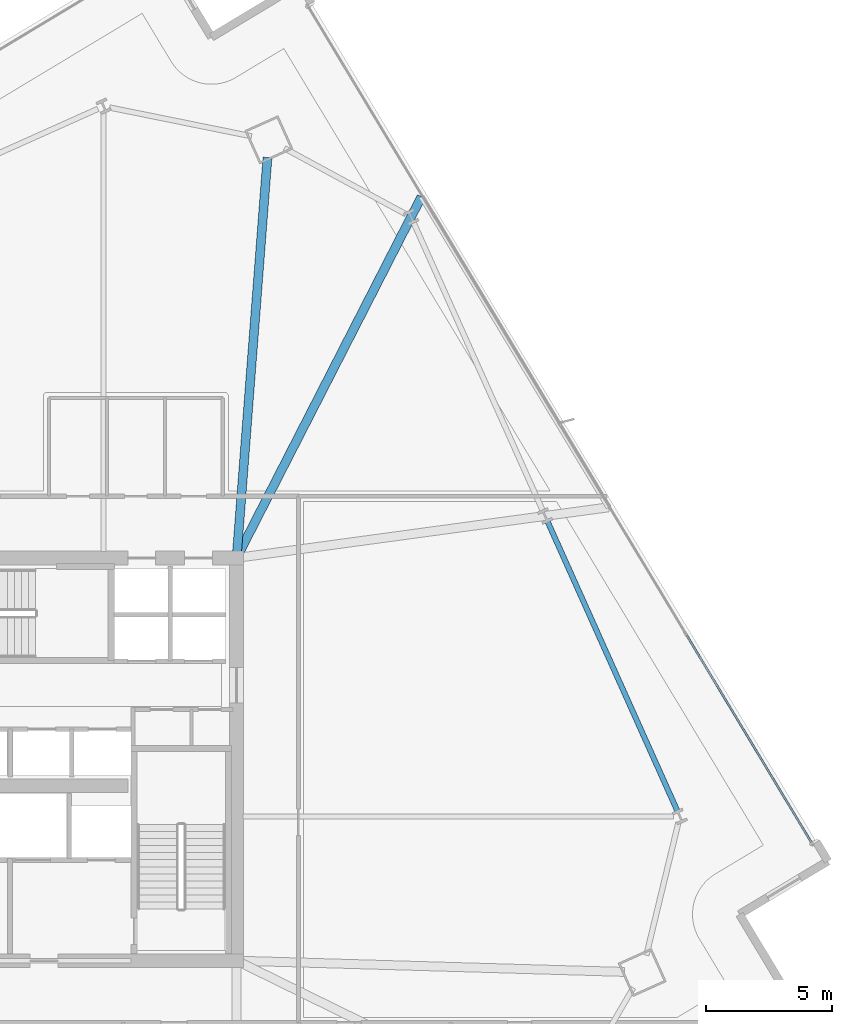
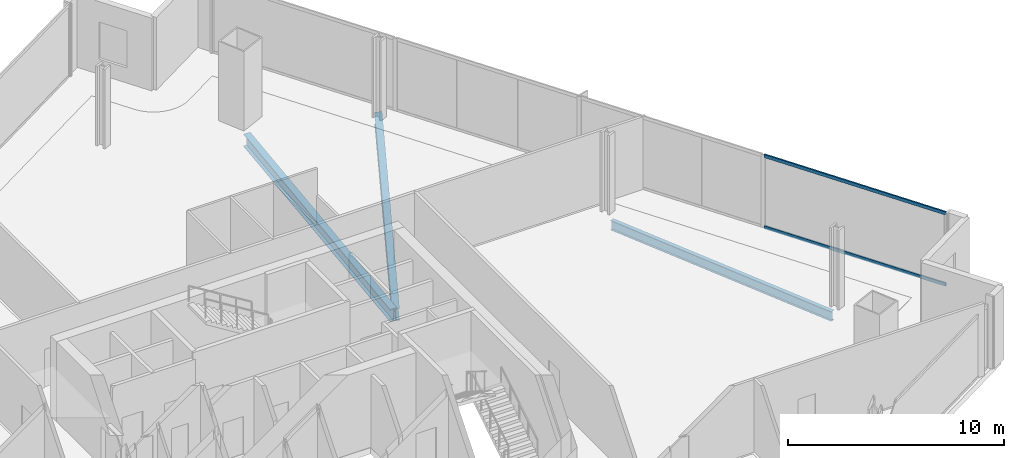
# One storey, part 16 of 30: 3 beams, 2 members, 1 element without a shape of its own.
"""IFC4 building model written with IfcOpenShell, lengths in metres."""

from ifc_helpers import new_model, si_unit, direction, frame, origin, origin_2d, place, context, subcontext, project, spatial, hollow_rectangle, i_section, extrude, material, material_profile, profile_set, type_object, element, aggregate, save


model = new_model("IFC4")

# Units and contexts
model_context = context("Model", 3, precision=1e-05, world=origin(), true_north=direction((0.0, 1.0)))
body_context = subcontext(model_context, "Body", "Model", "MODEL_VIEW")
ifc_project = project(units=[si_unit("LENGTHUNIT", "METRE"), si_unit("AREAUNIT", "SQUARE_METRE"), si_unit("VOLUMEUNIT", "CUBIC_METRE"), si_unit("PLANEANGLEUNIT", "RADIAN"), si_unit("MASSUNIT", "GRAM", prefix="KILO")], contexts=[model_context])

# Site, building, storey
site_placement = place(None, origin())
site = spatial("IfcSite", under=ifc_project, at=site_placement, CompositionType="ELEMENT")
building_placement = place(site_placement, origin())
building = spatial("IfcBuilding", under=site, at=building_placement, Name="Haldenkirk Collegiate Tower", CompositionType="ELEMENT")
storey_placement = place(building_placement, frame((0.0, 0.0, 131.699951171875)))
storey = spatial("IfcBuildingStorey", under=building, at=storey_placement, Name="L32", CompositionType="ELEMENT", Elevation=131.699951171875)

# Beams
ifc_material_1 = material(Name="Steel ASTM A992 Grade 50", Category="steel")
ifc_material_profile_1 = material_profile(ifc_material_1, i_section(OverallWidth=0.35498046875, OverallDepth=0.696044921875, WebThickness=0.015380859375, FlangeThickness=0.02490234375, at=origin_2d()), Name="W27X146")
ifc_profile_set_1 = profile_set([ifc_material_profile_1], Name="Steel ASTM A992 Grade 50")
beam_type_1 = type_object("IfcBeamType", Name="BM-GIRDER-W27X146", PredefinedType="BEAM", material=ifc_profile_set_1)
beam_1_placement = place(storey_placement, frame((46.226806640625, 49.9072265625, -0.697998046875), z_axis=(-0.076898657581, -0.997038914217, 0.0), x_axis=(0.997038914217, -0.076898657581, 0.0)))
element("IfcBeam", 1, at=beam_1_placement, inside=storey, type_object=beam_type_1, Name="L32 primary floor girder 03", PredefinedType="BEAM", context=body_context, shape_type="SweptSolid", body=[
    extrude(i_section(OverallWidth=0.35498046875, OverallDepth=0.696044921875, WebThickness=0.015380859375, FlangeThickness=0.02490234375, at=origin_2d()), origin(), (0.0, 0.0, 1.0), 15.699462890625),
])
beam_2_placement = place(storey_placement, frame((52.343505859375, 48.3505859375, -0.697998046875), z_axis=(-0.455540753334, -0.890214930257, 0.0), x_axis=(0.890214930257, -0.455540753334, 0.0)))
element("IfcBeam", 2, at=beam_2_placement, inside=storey, type_object=beam_type_1, Name="L32 primary floor girder 10", PredefinedType="BEAM", context=body_context, shape_type="SweptSolid", body=[
    extrude(i_section(OverallWidth=0.35498046875, OverallDepth=0.696044921875, WebThickness=0.015380859375, FlangeThickness=0.02490234375, at=origin_2d()), origin(), (0.0, 0.0, 1.0), 15.865234375),
])
ifc_material_profile_2 = material_profile(ifc_material_1, i_section(OverallWidth=0.2119140625, OverallDepth=0.5439453125, WebThickness=0.01318359375, FlangeThickness=0.021240234375, at=origin_2d()), Name="W21X83")
ifc_profile_set_2 = profile_set([ifc_material_profile_2], Name="Steel ASTM A992 Grade 50")
beam_type_2 = type_object("IfcBeamType", Name="BM-SPANDREL-W21X83", PredefinedType="SPANDREL", material=ifc_profile_set_2)
beam_3_placement = place(storey_placement, frame((62.50830078125, 23.951416015625, -0.6220703125), z_axis=(-0.409131045523, 0.91247563671, 0.0), x_axis=(-0.91247563671, -0.409131045523, 0.0)))
element("IfcBeam", 3, at=beam_3_placement, inside=storey, type_object=beam_type_2, Name="L32 perimeter spandrel beam 06", PredefinedType="SPANDREL", context=body_context, shape_type="SweptSolid", body=[
    extrude(i_section(OverallWidth=0.2119140625, OverallDepth=0.5439453125, WebThickness=0.01318359375, FlangeThickness=0.021240234375, at=origin_2d()), origin(), (0.0, 0.0, 1.0), 12.593994140625),
])

# Curtain wall, members
ifc_material_2 = material(Name="Anodised architectural bronze aluminium", Category="aluminium")
curtain_wall_type = type_object("IfcCurtainWallType", Name="CW-SYS1-CONVEX-LOW", PredefinedType="USERDEFINED", material=ifc_material_2)
curtain_wall_placement = place(storey_placement, origin())
curtain_wall = element("IfcCurtainWall", 4, at=curtain_wall_placement, inside=storey, type_object=curtain_wall_type, Name="L32 Lower tower convex bronze-framed unitised curtain wall", ObjectType="UNITISED CURTAIN WALL", PredefinedType="USERDEFINED")
ifc_material_profile_3 = material_profile(ifc_material_2, hollow_rectangle(XDim=0.080078125, YDim=0.179931640625, WallThickness=0.0048828125, at=origin_2d()), Name="CW-TRN-1A")
ifc_profile_set_3 = profile_set([ifc_material_profile_3], Name="Anodised architectural bronze aluminium")
member_type = type_object("IfcMemberType", Name="CW-TRN-1A", PredefinedType="USERDEFINED", material=ifc_profile_set_3)
member_1_placement = place(storey_placement, frame((62.881591796875, 30.924560546875, 0.0400390625), z_axis=(0.515789344487, -0.856715444073, 0.0), x_axis=(0.856715444073, 0.515789344487, 0.0)))
member_1 = element("IfcMember", 5, at=member_1_placement, type_object=member_type, Name="CW-1A transom 4.1", ObjectType="TRANSOM", PredefinedType="USERDEFINED", context=body_context, shape_type="SweptSolid", body=[
    extrude(hollow_rectangle(XDim=0.080078125, YDim=0.179931640625, WallThickness=0.0048828125, at=origin_2d()), origin(), (0.0, 0.0, 1.0), 9.5986328125),
])
member_2_placement = place(storey_placement, frame((62.881591796875, 30.924560546875, 4.06005859375), z_axis=(0.515789344487, -0.856715444073, 0.0), x_axis=(0.856715444073, 0.515789344487, 0.0)))
member_2 = element("IfcMember", 6, at=member_2_placement, type_object=member_type, Name="CW-1A transom 4.2", ObjectType="TRANSOM", PredefinedType="USERDEFINED", context=body_context, shape_type="SweptSolid", body=[
    extrude(hollow_rectangle(XDim=0.080078125, YDim=0.179931640625, WallThickness=0.0048828125, at=origin_2d()), origin(), (0.0, 0.0, 1.0), 9.5986328125),
])
aggregate(curtain_wall, [member_1, member_2])

save(model, "model.ifc")
